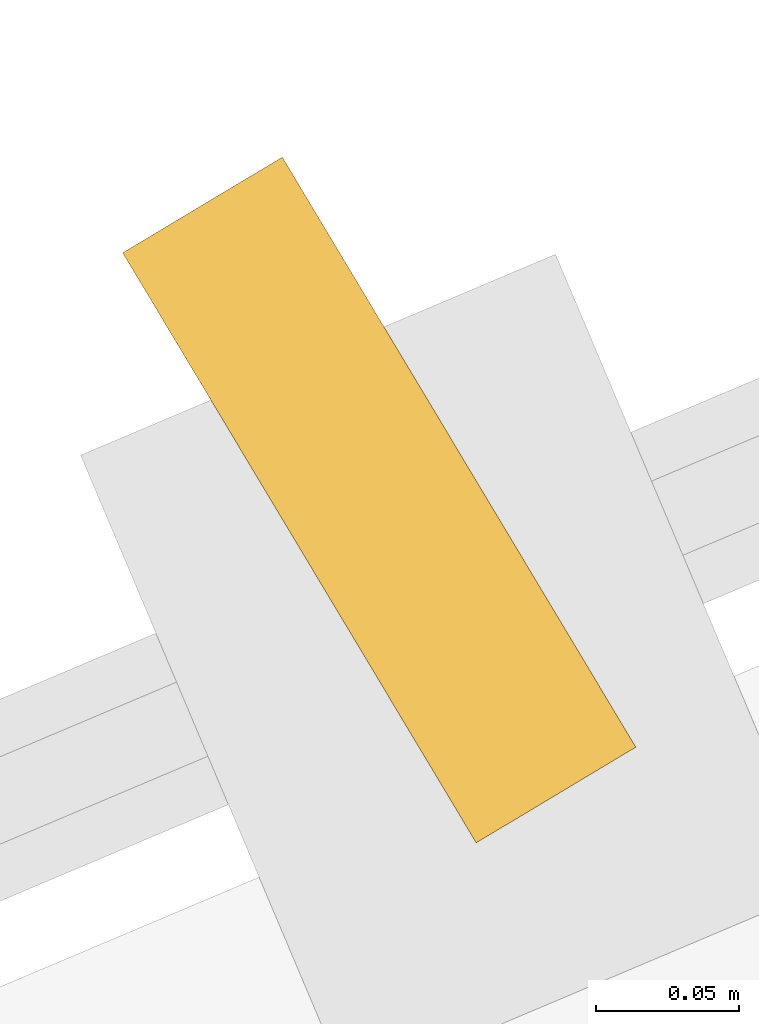
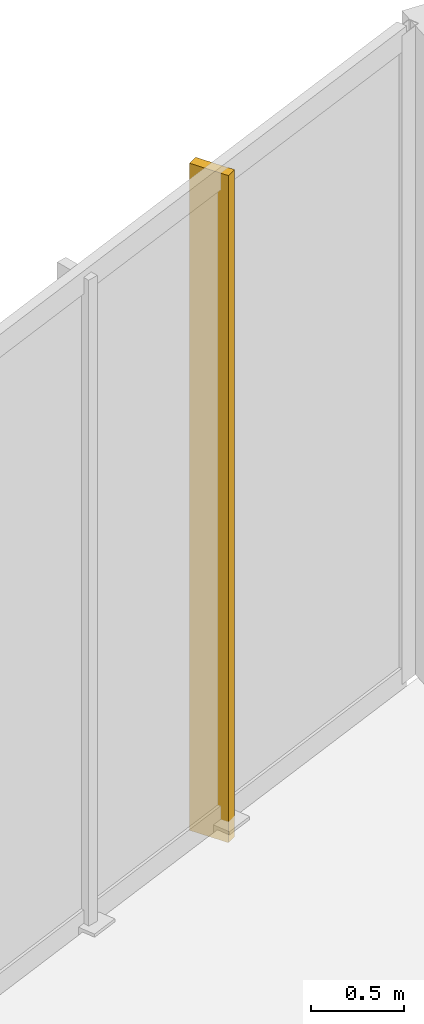
# One storey, part 27 of 28: 1 shading device.
"""IFC4 building model written with IfcOpenShell, lengths in metres."""

from ifc_helpers import new_model, si_unit, direction, frame, origin, origin_2d, place, context, subcontext, project, spatial, rectangle, extrude, source, transform, mapped, material, layer, layer_set, type_object, type_shapes, element, save


model = new_model("IFC4")

# Units and contexts
model_context = context("Model", 3, precision=1e-05, world=origin(), true_north=direction((0.0, 1.0)))
body_context = subcontext(model_context, "Body", "Model", "MODEL_VIEW")
ifc_project = project(units=[si_unit("LENGTHUNIT", "METRE"), si_unit("AREAUNIT", "SQUARE_METRE"), si_unit("VOLUMEUNIT", "CUBIC_METRE"), si_unit("PLANEANGLEUNIT", "RADIAN"), si_unit("MASSUNIT", "GRAM", prefix="KILO")], contexts=[model_context])

# Site, building, storey
site_placement = place(None, origin())
site = spatial("IfcSite", under=ifc_project, at=site_placement, CompositionType="ELEMENT")
building_placement = place(site_placement, origin())
building = spatial("IfcBuilding", under=site, at=building_placement, Name="Talar Marvaseh", CompositionType="ELEMENT")
storey_placement = place(building_placement, frame((0.0, 0.0, 157.800048828125)))
storey = spatial("IfcBuildingStorey", under=building, at=storey_placement, Name="L41", CompositionType="ELEMENT", Elevation=157.800048828125)

# Shading device
ifc_material = material(Name="Anodised Champagne Bronze Aluminium", Category="aluminium")
ifc_layer = layer(ifc_material, 0.06494140625)
ifc_layer_set = layer_set([ifc_layer], Name="Anodised Champagne Bronze Aluminium")
shading_device_type = type_object("IfcShadingDeviceType", Name="Sawtooth Champagne Bronze Vertical Fin 240", PredefinedType="USERDEFINED", material=ifc_layer_set)
shared_shape = source(origin(), body_context, "Body", "SweptSolid", [
    extrude(rectangle(XDim=0.239990234375, YDim=0.06494140625, at=origin_2d()), origin(), (0.0, 0.0, 1.0), 4.3701171875),
])
type_shapes(shading_device_type, [shared_shape])
shading_device_placement = place(storey_placement, frame((26.752685546875, 46.33935546875, -0.1201171875), z_axis=(0.0, 0.0, 1.0), x_axis=(-0.513990463377, 0.857795898543, 0.0)))
element("IfcShadingDevice", 1, at=shading_device_placement, inside=storey, type_object=shading_device_type, Name="L41 Sawtooth Vertical Solar Fin", ObjectType="FIN", PredefinedType="USERDEFINED", context=body_context, shape_type="MappedRepresentation", body=[
    mapped(shared_shape, transform((0.0, 0.0, 0.0), x_axis=(1.0, 0.0, 0.0), y_axis=(0.0, 1.0, 0.0), z_axis=(0.0, 0.0, 1.0), scale=1.0)),
])

save(model, "model.ifc")
